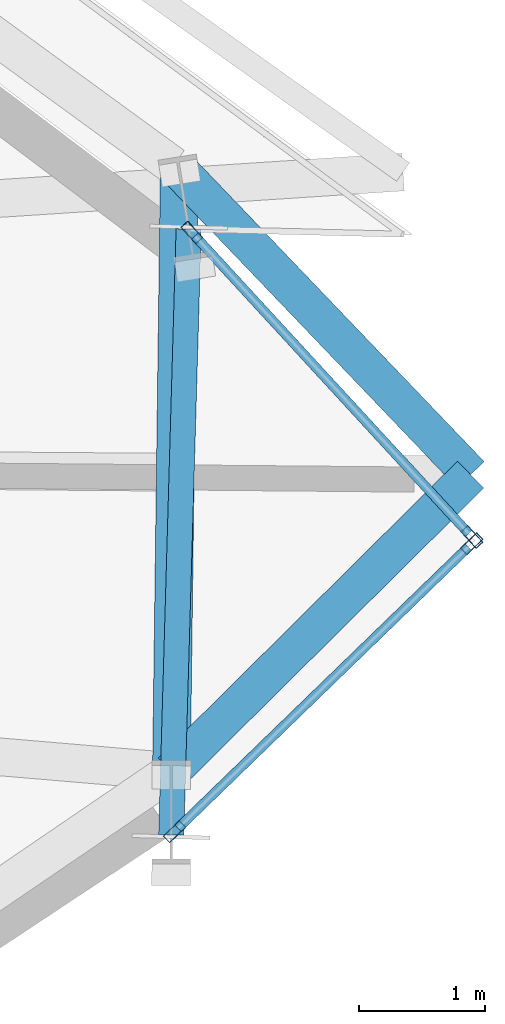
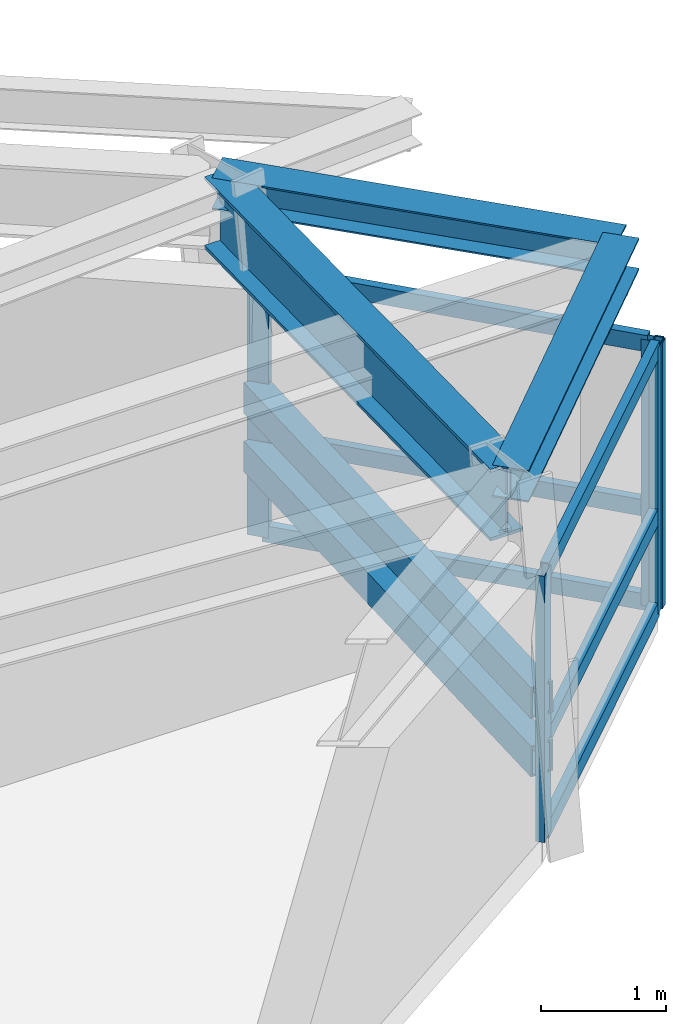
# One storey, part 8 of 24: 12 members, 3 beams, 2 elements without a shape of their own.
"""IFC4 building model written with IfcOpenShell, lengths in metres."""

from ifc_helpers import new_model, si_unit, direction, frame, origin, origin_2d, place, context, subcontext, project, spatial, hollow_rectangle, i_section, extrude, source, transform, mapped, material, material_profile, profile_set, type_object, element, aggregate, save


model = new_model("IFC4")

# Units and contexts
model_context = context("Model", 3, precision=1e-05, world=origin(), true_north=direction((0.0, 1.0)))
body_context = subcontext(model_context, "Body", "Model", "MODEL_VIEW")
ifc_project = project(units=[si_unit("LENGTHUNIT", "METRE"), si_unit("AREAUNIT", "SQUARE_METRE"), si_unit("VOLUMEUNIT", "CUBIC_METRE"), si_unit("PLANEANGLEUNIT", "RADIAN"), si_unit("MASSUNIT", "GRAM", prefix="KILO")], contexts=[model_context])

# Site, building, storey
site_placement = place(None, origin())
site = spatial("IfcSite", under=ifc_project, at=site_placement, CompositionType="ELEMENT")
building_placement = place(site_placement, origin())
building = spatial("IfcBuilding", under=site, at=building_placement, Name="Olszyna Solenne Hotel", CompositionType="ELEMENT")
storey_placement = place(building_placement, frame((0.0, 0.0, 29.300048828125)))
storey = spatial("IfcBuildingStorey", under=building, at=storey_placement, Name="L06", CompositionType="ELEMENT", Elevation=29.300048828125)

# Beams
ifc_material_1 = material(Name="Steel S355J2", Category="steel")
ifc_material_profile_1 = material_profile(ifc_material_1, i_section(OverallWidth=0.300048828125, OverallDepth=0.699951171875, WebThickness=0.01708984375, FlangeThickness=0.031982421875, at=origin_2d()), Name="HEB 700", Category="load-bearing")
ifc_profile_set_1 = profile_set([ifc_material_profile_1], Name="Steel S355J2")
beam_type_1 = type_object("IfcBeamType", Name="BM-S1", PredefinedType="BEAM", material=ifc_profile_set_1)
shared_shape_1 = source(origin(), body_context, "Body", "SweptSolid", [
    extrude(i_section(OverallWidth=0.300048828125, OverallDepth=0.699951171875, WebThickness=0.01708984375, FlangeThickness=0.031982421875, at=origin_2d()), origin(), (0.0, 0.0, 1.0), 4.664794921875),
])
beam_placement = place(storey_placement, frame((68.913330078125, 24.034912109375, 2.949951171875), z_axis=(0.013032130566, 0.999915078181, 0.0), x_axis=(-0.999915078181, 0.013032130566, 0.0)))
element("IfcBeam", 1, at=beam_placement, inside=storey, type_object=beam_type_1, Name="Perimeter spandrel beam BM-S1 B-L06-0201", PredefinedType="BEAM", context=body_context, shape_type="MappedRepresentation", body=[
    mapped(shared_shape_1, transform((0.0, 0.0, 0.0), x_axis=(1.0, 0.0, 0.0), y_axis=(0.0, 1.0, 0.0), z_axis=(0.0, 0.0, 1.0), scale=1.0)),
])
ifc_material_profile_2 = material_profile(ifc_material_1, i_section(OverallWidth=0.300048828125, OverallDepth=0.31005859375, WebThickness=0.009033203125, FlangeThickness=0.015380859375, at=origin_2d()), Name="HEA 320", Category="load-bearing")
ifc_profile_set_2 = profile_set([ifc_material_profile_2], Name="Steel S355J2")
beam_type_2 = type_object("IfcBeamType", Name="BM-G3", PredefinedType="BEAM", material=ifc_profile_set_2)
shared_shape_2 = source(origin(), body_context, "Body", "SweptSolid", [
    extrude(i_section(OverallWidth=0.300048828125, OverallDepth=0.31005859375, WebThickness=0.009033203125, FlangeThickness=0.015380859375, at=origin_2d()), origin(), (0.0, 0.0, 1.0), 3.353515625),
])
for number, where, z_axis, x_axis, name in (
    (2, (68.91259765625, 23.97509765625, 3.14501953125), (0.710049161443, 0.704152105965, 0.0), (-0.704152105965, 0.710049161443, 0.0), "Prism side edge beam BM-G3 B-L06-0222"),
    (3, (68.97509765625, 28.75927734375, 3.14501953125), (0.691392879512, -0.722478986656, 0.0), (0.722478986656, 0.691392879512, 0.0), "Prism side edge beam BM-G3 B-L06-0223"),
):
    element("IfcBeam", number, at=place(storey_placement, frame(where, z_axis=z_axis, x_axis=x_axis)), inside=storey, type_object=beam_type_2, Name=name, PredefinedType="BEAM", context=body_context, shape_type="MappedRepresentation", body=[
        mapped(shared_shape_2, transform((0.0, 0.0, 0.0), x_axis=(1.0, 0.0, 0.0), y_axis=(0.0, 1.0, 0.0), z_axis=(0.0, 0.0, 1.0), scale=1.0)),
    ])

# Members
ifc_material_profile_3 = material_profile(ifc_material_1, hollow_rectangle(XDim=0.199951171875, YDim=0.300048828125, WallThickness=0.01611328125, at=origin_2d()), Name="RHS 300x200x16", Category="load-bearing")
ifc_profile_set_3 = profile_set([ifc_material_profile_3], Name="Steel S355J2")
member_type_1 = type_object("IfcMemberType", Name="CH-PR1", PredefinedType="CHORD", material=ifc_profile_set_3)
shared_shape_3 = source(origin(), body_context, "Body", "SweptSolid", [
    extrude(hollow_rectangle(XDim=0.199951171875, YDim=0.300048828125, WallThickness=0.01611328125, at=origin_2d()), origin(), (0.0, 0.0, 1.0), 4.822998046875),
])
for number, where, z_axis, x_axis, name in (
    (4, (68.9111328125, 23.4697265625, 1.349853515625), (0.028751971212, 0.999586576616, 0.0), (-0.999586576616, 0.028751971212, 0.0), "Glass-prism tie chord CH-PR1 M-L06-PR1"),
    (5, (68.9111328125, 23.4697265625, 0.780029296875), (0.028751971212, 0.999586576616, 0.0), (-0.999586576616, 0.028751971212, 0.0), "Glass-prism tie chord CH-PR1 M-L06-PR2"),
):
    element("IfcMember", number, at=place(storey_placement, frame(where, z_axis=z_axis, x_axis=x_axis)), inside=storey, type_object=member_type_1, Name=name, PredefinedType="CHORD", context=body_context, shape_type="MappedRepresentation", body=[
        mapped(shared_shape_3, transform((0.0, 0.0, 0.0), x_axis=(1.0, 0.0, 0.0), y_axis=(0.0, 1.0, 0.0), z_axis=(0.0, 0.0, 1.0), scale=1.0)),
    ])

# Curtain wall, members
ifc_material_2 = material(Name="Anodised bronze aluminium", Category="aluminium")
curtain_wall_type = type_object("IfcCurtainWallType", Name="CW-SYS-5", PredefinedType="NOTDEFINED", material=ifc_material_2)
curtain_wall_1_placement = place(storey_placement, origin())
curtain_wall_1 = element("IfcCurtainWall", 6, at=curtain_wall_1_placement, inside=storey, type_object=curtain_wall_type, Name="Unitised curtain wall CW-SYS-5 CW-L06-03", PredefinedType="NOTDEFINED")
ifc_material_profile_4 = material_profile(ifc_material_2, hollow_rectangle(XDim=0.074951171875, YDim=0.179931640625, WallThickness=0.00439453125, at=origin_2d()), Name="MULL 180x75x4.5", Category="load-bearing")
ifc_profile_set_4 = profile_set([ifc_material_profile_4], Name="Anodised bronze aluminium")
member_type_2 = type_object("IfcMemberType", Name="CW-M2", PredefinedType="MULLION", material=ifc_profile_set_4)
shared_shape_4 = source(origin(), body_context, "Body", "SweptSolid", [
    extrude(hollow_rectangle(XDim=0.074951171875, YDim=0.179931640625, WallThickness=0.00439453125, at=origin_2d()), origin(), (0.0, 0.0, 1.0), 2.592041015625),
])
member_1_placement = place(storey_placement, frame((69.0751953125, 28.26318359375, 0.0), z_axis=(0.0, 0.0, 1.0), x_axis=(0.735953503821, 0.677032082115, 0.0)))
member_1 = element("IfcMember", 7, at=member_1_placement, type_object=member_type_2, Name="Curtain-wall mullion CW-M2 CM-L06-03-01", PredefinedType="MULLION", context=body_context, shape_type="MappedRepresentation", body=[
    mapped(shared_shape_4, transform((0.0, 0.0, 0.0), x_axis=(1.0, 0.0, 0.0), y_axis=(0.0, 1.0, 0.0), z_axis=(0.0, 0.0, 1.0), scale=1.0)),
])
member_2_placement = place(storey_placement, frame((71.30419921875, 25.84033203125, 0.0), z_axis=(0.0, 0.0, 1.0), x_axis=(0.735953503821, 0.677032082115, 0.0)))
member_2 = element("IfcMember", 8, at=member_2_placement, type_object=member_type_2, Name="Curtain-wall mullion CW-M2 CM-L06-03-02", PredefinedType="MULLION", context=body_context, shape_type="MappedRepresentation", body=[
    mapped(shared_shape_4, transform((0.0, 0.0, 0.0), x_axis=(1.0, 0.0, 0.0), y_axis=(0.0, 1.0, 0.0), z_axis=(0.0, 0.0, 1.0), scale=1.0)),
])

curtain_wall_2_placement = place(storey_placement, origin())
curtain_wall_2 = element("IfcCurtainWall", 9, at=curtain_wall_2_placement, inside=storey, type_object=curtain_wall_type, Name="Unitised curtain wall CW-SYS-5 CW-L06-04", PredefinedType="NOTDEFINED")
member_3_placement = place(storey_placement, frame((68.93798828125, 23.495849609375, 0.0), z_axis=(0.0, 0.0, 1.0), x_axis=(-0.695806706149, 0.718229091362, 0.0)))
member_3 = element("IfcMember", 10, at=member_3_placement, type_object=member_type_2, Name="Curtain-wall mullion CW-M2 CM-L06-04-01", PredefinedType="MULLION", context=body_context, shape_type="MappedRepresentation", body=[
    mapped(shared_shape_4, transform((0.0, 0.0, 0.0), x_axis=(1.0, 0.0, 0.0), y_axis=(0.0, 1.0, 0.0), z_axis=(0.0, 0.0, 1.0), scale=1.0)),
])
member_4_placement = place(storey_placement, frame((71.302490234375, 25.78662109375, 0.0), z_axis=(0.0, 0.0, 1.0), x_axis=(-0.695806706149, 0.718229091362, 0.0)))
member_4 = element("IfcMember", 11, at=member_4_placement, type_object=member_type_2, Name="Curtain-wall mullion CW-M2 CM-L06-04-02", PredefinedType="MULLION", context=body_context, shape_type="MappedRepresentation", body=[
    mapped(shared_shape_4, transform((0.0, 0.0, 0.0), x_axis=(1.0, 0.0, 0.0), y_axis=(0.0, 1.0, 0.0), z_axis=(0.0, 0.0, 1.0), scale=1.0)),
])

# Member
ifc_material_profile_5 = material_profile(ifc_material_2, hollow_rectangle(XDim=0.074951171875, YDim=0.159912109375, WallThickness=0.00390625, at=origin_2d()), Name="TRAN 160x75x4", Category="load-bearing")
ifc_profile_set_5 = profile_set([ifc_material_profile_5], Name="Anodised bronze aluminium")
member_type_3 = type_object("IfcMemberType", Name="CW-T1", PredefinedType="USERDEFINED", material=ifc_profile_set_5)
shared_shape_5 = source(origin(), body_context, "Body", "SweptSolid", [
    extrude(hollow_rectangle(XDim=0.074951171875, YDim=0.159912109375, WallThickness=0.00390625, at=origin_2d()), origin(), (0.0, 0.0, 1.0), 3.21728515625),
])
member_5_placement = place(storey_placement, frame((69.1005859375, 28.235595703125, 0.037353515625), z_axis=(0.677049954932, -0.735937061525, 0.0), x_axis=(0.735937061525, 0.677049954932, 0.0)))
member_5 = element("IfcMember", 12, at=member_5_placement, type_object=member_type_3, Name="Curtain-wall transom CW-T1 CT-L06-03-01", ObjectType="TRANSOM", PredefinedType="USERDEFINED", context=body_context, shape_type="MappedRepresentation", body=[
    mapped(shared_shape_5, transform((0.0, 0.0, 0.0), x_axis=(1.0, 0.0, 0.0), y_axis=(0.0, 1.0, 0.0), z_axis=(0.0, 0.0, 1.0), scale=1.0)),
])

member_6_placement = place(storey_placement, frame((69.1005859375, 28.235595703125, 0.949951171875), z_axis=(0.677049954932, -0.735937061525, 0.0), x_axis=(0.735937061525, 0.677049954932, 0.0)))
member_6 = element("IfcMember", 13, at=member_6_placement, type_object=member_type_3, Name="Curtain-wall transom CW-T1 CT-L06-03-02", ObjectType="TRANSOM", PredefinedType="USERDEFINED", context=body_context, shape_type="MappedRepresentation", body=[
    mapped(shared_shape_5, transform((0.0, 0.0, 0.0), x_axis=(1.0, 0.0, 0.0), y_axis=(0.0, 1.0, 0.0), z_axis=(0.0, 0.0, 1.0), scale=1.0)),
])

member_7_placement = place(storey_placement, frame((69.1005859375, 28.235595703125, 2.554443359375), z_axis=(0.677049954932, -0.735937061525, 0.0), x_axis=(0.735937061525, 0.677049954932, 0.0)))
member_7 = element("IfcMember", 14, at=member_7_placement, type_object=member_type_3, Name="Curtain-wall transom CW-T1 CT-L06-03-03", ObjectType="TRANSOM", PredefinedType="USERDEFINED", context=body_context, shape_type="MappedRepresentation", body=[
    mapped(shared_shape_5, transform((0.0, 0.0, 0.0), x_axis=(1.0, 0.0, 0.0), y_axis=(0.0, 1.0, 0.0), z_axis=(0.0, 0.0, 1.0), scale=1.0)),
])

aggregate(curtain_wall_1, [member_1, member_2, member_5, member_6, member_7])

shared_shape_6 = source(origin(), body_context, "Body", "SweptSolid", [
    extrude(hollow_rectangle(XDim=0.074951171875, YDim=0.159912109375, WallThickness=0.00390625, at=origin_2d()), origin(), (0.0, 0.0, 1.0), 3.217041015625),
])
member_8_placement = place(storey_placement, frame((68.965087890625, 23.52197265625, 0.037353515625), z_axis=(0.718211778219, 0.695824576763, 0.0), x_axis=(-0.695824576763, 0.718211778219, 0.0)))
member_8 = element("IfcMember", 15, at=member_8_placement, type_object=member_type_3, Name="Curtain-wall transom CW-T1 CT-L06-04-01", ObjectType="TRANSOM", PredefinedType="USERDEFINED", context=body_context, shape_type="MappedRepresentation", body=[
    mapped(shared_shape_6, transform((0.0, 0.0, 0.0), x_axis=(1.0, 0.0, 0.0), y_axis=(0.0, 1.0, 0.0), z_axis=(0.0, 0.0, 1.0), scale=1.0)),
])

member_9_placement = place(storey_placement, frame((68.965087890625, 23.52197265625, 0.949951171875), z_axis=(0.718211778219, 0.695824576763, 0.0), x_axis=(-0.695824576763, 0.718211778219, 0.0)))
member_9 = element("IfcMember", 16, at=member_9_placement, type_object=member_type_3, Name="Curtain-wall transom CW-T1 CT-L06-04-02", ObjectType="TRANSOM", PredefinedType="USERDEFINED", context=body_context, shape_type="MappedRepresentation", body=[
    mapped(shared_shape_6, transform((0.0, 0.0, 0.0), x_axis=(1.0, 0.0, 0.0), y_axis=(0.0, 1.0, 0.0), z_axis=(0.0, 0.0, 1.0), scale=1.0)),
])

member_10_placement = place(storey_placement, frame((68.965087890625, 23.52197265625, 2.554443359375), z_axis=(0.718211778219, 0.695824576763, 0.0), x_axis=(-0.695824576763, 0.718211778219, 0.0)))
member_10 = element("IfcMember", 17, at=member_10_placement, type_object=member_type_3, Name="Curtain-wall transom CW-T1 CT-L06-04-03", ObjectType="TRANSOM", PredefinedType="USERDEFINED", context=body_context, shape_type="MappedRepresentation", body=[
    mapped(shared_shape_6, transform((0.0, 0.0, 0.0), x_axis=(1.0, 0.0, 0.0), y_axis=(0.0, 1.0, 0.0), z_axis=(0.0, 0.0, 1.0), scale=1.0)),
])

aggregate(curtain_wall_2, [member_3, member_4, member_8, member_9, member_10])

save(model, "model.ifc")
